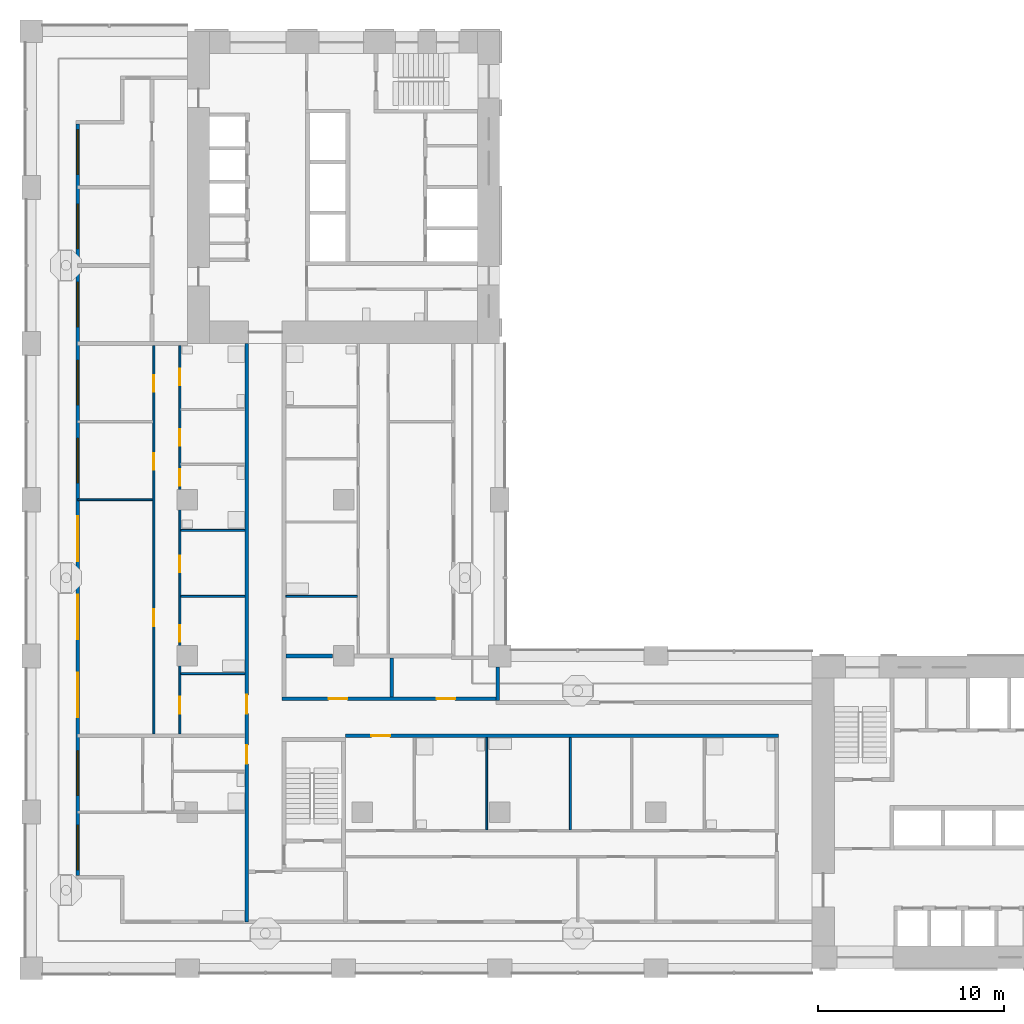
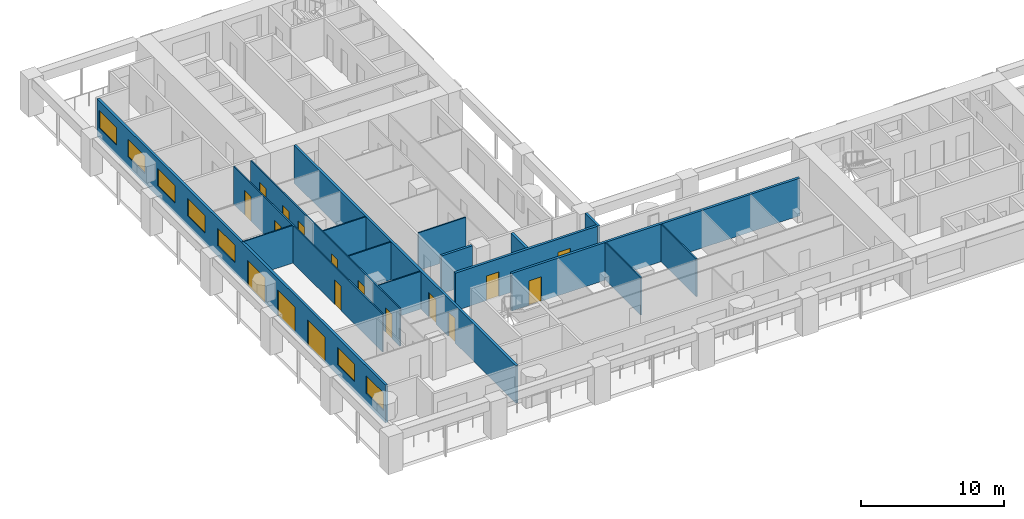
# One storey, part 3 of 18: 17 doors, 16 walls, 7 windows, 24 openings.
"""IFC4 building model written with IfcOpenShell, lengths in metres."""

from ifc_helpers import new_model, si_unit, direction, frame, frame_2d, origin, place, context, subcontext, project, spatial, rectangle, extrude, material, layer, layer_set, type_object, element, fill, save


model = new_model("IFC4")

# Units and contexts
model_context = context("Model", 3, precision=1e-05, world=origin(), true_north=direction((0.0, 1.0)))
body_context = subcontext(model_context, "Body", "Model", "MODEL_VIEW")
ifc_project = project(units=[si_unit("LENGTHUNIT", "METRE"), si_unit("AREAUNIT", "SQUARE_METRE"), si_unit("VOLUMEUNIT", "CUBIC_METRE"), si_unit("PLANEANGLEUNIT", "RADIAN"), si_unit("MASSUNIT", "GRAM", prefix="KILO")], contexts=[model_context])

# Site, building, storey
site_placement = place(None, origin())
site = spatial("IfcSite", under=ifc_project, at=site_placement, CompositionType="ELEMENT")
building_placement = place(site_placement, origin())
building = spatial("IfcBuilding", under=site, at=building_placement, Name="Vermilion Gate Residences", CompositionType="ELEMENT")
storey_placement = place(building_placement, frame((0.0, 0.0, 133.699951171875)))
storey = spatial("IfcBuildingStorey", under=building, at=storey_placement, Name="L34", CompositionType="ELEMENT", Elevation=133.699951171875)

# Wall, openings, doors, windows
ifc_material_1 = material(Name="Insulated steel stud wall with terracotta rainscreen", Category="masonry")
ifc_layer_1 = layer(ifc_material_1, 0.199951171875)
ifc_layer_set_1 = layer_set([ifc_layer_1], Name="EXTERNAL WALL 200 TERRACOTTA RAINSCREEN")
wall_type_1 = type_object("IfcWallType", Name="EXTERNAL WALL 200 TERRACOTTA RAINSCREEN", PredefinedType="SOLIDWALL", material=ifc_layer_set_1)
wall_1_placement = place(storey_placement, frame((2.5, 53.800048828125, 0.0), z_axis=(0.0, 0.0, 1.0), x_axis=(0.0, -1.0, 0.0)))
wall_1 = element("IfcWall", 1, at=wall_1_placement, inside=storey, type_object=wall_type_1, Name="External wall", PredefinedType="SOLIDWALL", context=body_context, shape_type="SweptSolid", body=[
    extrude(rectangle(XDim=40.400146484375, YDim=0.199951171875, at=frame_2d((20.2001953125, 0.0))), origin(), (0.0, 0.0, 1.0), 3.219970703125),
])
opening_1_placement = place(wall_1_placement, frame((37.699951171875, 0.0, 0.89990234375)))
opening_1 = element("IfcOpeningElement", 2, at=opening_1_placement, cuts=wall_1, Name="Opening WE34002", PredefinedType="OPENING", context=body_context, shape_type="SweptSolid", body=[
    extrude(rectangle(XDim=2.39990234375, YDim=1.5, at=frame_2d((1.199951171875, 0.75))), frame((0.0, 0.10986328125, 0.0), z_axis=(0.0, -1.0, 0.0), x_axis=(1.0, 0.0, 0.0)), (0.0, 0.0, 1.0), 0.219970703125),
])
opening_2_placement = place(wall_1_placement, frame((33.699951171875, 0.0, 0.89990234375)))
opening_2 = element("IfcOpeningElement", 3, at=opening_2_placement, cuts=wall_1, Name="Opening WE34003", PredefinedType="OPENING", context=body_context, shape_type="SweptSolid", body=[
    extrude(rectangle(XDim=2.39990234375, YDim=1.5, at=frame_2d((1.199951171875, 0.75))), frame((0.0, 0.10986328125, 0.0), z_axis=(0.0, -1.0, 0.0), x_axis=(1.0, 0.0, 0.0)), (0.0, 0.0, 1.0), 0.219970703125),
])
opening_3_placement = place(wall_1_placement, frame((29.5, 0.0, 0.0)))
opening_3 = element("IfcOpeningElement", 4, at=opening_3_placement, cuts=wall_1, Name="Opening DE34004", PredefinedType="OPENING", context=body_context, shape_type="SweptSolid", body=[
    extrude(rectangle(XDim=2.39990234375, YDim=2.199951171875, at=frame_2d((1.199951171875, 1.10009765625))), frame((0.0, 0.10986328125, 0.0), z_axis=(0.0, -1.0, 0.0), x_axis=(1.0, 0.0, 0.0)), (0.0, 0.0, 1.0), 0.219970703125),
])
opening_4_placement = place(wall_1_placement, frame((25.300048828125, 0.0, 0.0)))
opening_4 = element("IfcOpeningElement", 5, at=opening_4_placement, cuts=wall_1, Name="Opening DE34005", PredefinedType="OPENING", context=body_context, shape_type="SweptSolid", body=[
    extrude(rectangle(XDim=2.39990234375, YDim=2.199951171875, at=frame_2d((1.199951171875, 1.10009765625))), frame((0.0, 0.10986328125, 0.0), z_axis=(0.0, -1.0, 0.0), x_axis=(1.0, 0.0, 0.0)), (0.0, 0.0, 1.0), 0.219970703125),
])
opening_5_placement = place(wall_1_placement, frame((21.10009765625, 0.0, 0.0)))
opening_5 = element("IfcOpeningElement", 6, at=opening_5_placement, cuts=wall_1, Name="Opening DE34006", PredefinedType="OPENING", context=body_context, shape_type="SweptSolid", body=[
    extrude(rectangle(XDim=2.39990234375, YDim=2.199951171875, at=frame_2d((1.199951171875, 1.10009765625))), frame((0.0, 0.10986328125, 0.0), z_axis=(0.0, -1.0, 0.0), x_axis=(1.0, 0.0, 0.0)), (0.0, 0.0, 1.0), 0.219970703125),
])
opening_6_placement = place(wall_1_placement, frame((16.89990234375, 0.0, 0.89990234375)))
opening_6 = element("IfcOpeningElement", 7, at=opening_6_placement, cuts=wall_1, Name="Opening WE34007", PredefinedType="OPENING", context=body_context, shape_type="SweptSolid", body=[
    extrude(rectangle(XDim=2.39990234375, YDim=1.5, at=frame_2d((1.199951171875, 0.75))), frame((0.0, 0.10986328125, 0.0), z_axis=(0.0, -1.0, 0.0), x_axis=(1.0, 0.0, 0.0)), (0.0, 0.0, 1.0), 0.219970703125),
])
opening_7_placement = place(wall_1_placement, frame((12.699951171875, 0.0, 0.89990234375)))
opening_7 = element("IfcOpeningElement", 8, at=opening_7_placement, cuts=wall_1, Name="Opening WE34008", PredefinedType="OPENING", context=body_context, shape_type="SweptSolid", body=[
    extrude(rectangle(XDim=2.39990234375, YDim=1.5, at=frame_2d((1.199951171875, 0.75))), frame((0.0, 0.10986328125, 0.0), z_axis=(0.0, -1.0, 0.0), x_axis=(1.0, 0.0, 0.0)), (0.0, 0.0, 1.0), 0.219970703125),
])
opening_8_placement = place(wall_1_placement, frame((8.5, 0.0, 0.89990234375)))
opening_8 = element("IfcOpeningElement", 9, at=opening_8_placement, cuts=wall_1, Name="Opening WE34009", PredefinedType="OPENING", context=body_context, shape_type="SweptSolid", body=[
    extrude(rectangle(XDim=2.39990234375, YDim=1.5, at=frame_2d((1.199951171875, 0.75))), frame((0.0, 0.10986328125, 0.0), z_axis=(0.0, -1.0, 0.0), x_axis=(1.0, 0.0, 0.0)), (0.0, 0.0, 1.0), 0.219970703125),
])
opening_9_placement = place(wall_1_placement, frame((4.300048828125, 0.0, 0.89990234375)))
opening_9 = element("IfcOpeningElement", 10, at=opening_9_placement, cuts=wall_1, Name="Opening WE34010", PredefinedType="OPENING", context=body_context, shape_type="SweptSolid", body=[
    extrude(rectangle(XDim=2.39990234375, YDim=1.5, at=frame_2d((1.199951171875, 0.75))), frame((0.0, 0.10986328125, 0.0), z_axis=(0.0, -1.0, 0.0), x_axis=(1.0, 0.0, 0.0)), (0.0, 0.0, 1.0), 0.219970703125),
])
opening_10_placement = place(wall_1_placement, frame((0.300048828125, 0.0, 0.89990234375)))
opening_10 = element("IfcOpeningElement", 11, at=opening_10_placement, cuts=wall_1, Name="Opening WE34011", PredefinedType="OPENING", context=body_context, shape_type="SweptSolid", body=[
    extrude(rectangle(XDim=2.39990234375, YDim=1.5, at=frame_2d((1.199951171875, 0.75))), frame((0.0, 0.10986328125, 0.0), z_axis=(0.0, -1.0, 0.0), x_axis=(1.0, 0.0, 0.0)), (0.0, 0.0, 1.0), 0.219970703125),
])
ifc_material_2 = material(Name="Aluminium and clear glass", Category="aluminium")
door_type_1 = type_object("IfcDoorType", Name="SLIDING GLAZED DOOR 2400 X 2200", OperationType="DOUBLE_DOOR_SLIDING", PredefinedType="DOOR", material=ifc_material_2)
door_1_placement = place(opening_3_placement, origin())
door_1 = element("IfcDoor", 12, at=door_1_placement, inside=storey, type_object=door_type_1, Name="Loggia sliding door", OperationType="DOUBLE_DOOR_SLIDING", OverallHeight=2.199951171875, OverallWidth=2.39990234375, PredefinedType="DOOR", context=body_context, shape_type="SweptSolid", body=[
    extrude(rectangle(XDim=2.39990234375, YDim=2.199951171875, at=frame_2d((1.199951171875, 1.10009765625))), frame((0.0, 0.02490234375, 0.0), z_axis=(0.0, -1.0, 0.0), x_axis=(1.0, 0.0, 0.0)), (0.0, 0.0, 1.0), 0.050048828125),
])
fill(opening_3, door_1)
door_2_placement = place(opening_4_placement, origin())
door_2 = element("IfcDoor", 13, at=door_2_placement, inside=storey, type_object=door_type_1, Name="Loggia sliding door", OperationType="DOUBLE_DOOR_SLIDING", OverallHeight=2.199951171875, OverallWidth=2.39990234375, PredefinedType="DOOR", context=body_context, shape_type="SweptSolid", body=[
    extrude(rectangle(XDim=2.39990234375, YDim=2.199951171875, at=frame_2d((1.199951171875, 1.10009765625))), frame((0.0, 0.02490234375, 0.0), z_axis=(0.0, -1.0, 0.0), x_axis=(1.0, 0.0, 0.0)), (0.0, 0.0, 1.0), 0.050048828125),
])
fill(opening_4, door_2)
door_3_placement = place(opening_5_placement, origin())
door_3 = element("IfcDoor", 14, at=door_3_placement, inside=storey, type_object=door_type_1, Name="Loggia sliding door", OperationType="DOUBLE_DOOR_SLIDING", OverallHeight=2.199951171875, OverallWidth=2.39990234375, PredefinedType="DOOR", context=body_context, shape_type="SweptSolid", body=[
    extrude(rectangle(XDim=2.39990234375, YDim=2.199951171875, at=frame_2d((1.199951171875, 1.10009765625))), frame((0.0, 0.02490234375, 0.0), z_axis=(0.0, -1.0, 0.0), x_axis=(1.0, 0.0, 0.0)), (0.0, 0.0, 1.0), 0.050048828125),
])
fill(opening_5, door_3)
ifc_material_3 = material(Name="Aluminium and clear glass", Category="aluminium")
window_type = type_object("IfcWindowType", Name="WINDOW 2400 X 1500", PartitioningType="SINGLE_PANEL", PredefinedType="WINDOW", material=ifc_material_3)
window_1_placement = place(opening_1_placement, origin())
window_1 = element("IfcWindow", 15, at=window_1_placement, inside=storey, type_object=window_type, Name="Window", OverallHeight=1.5, OverallWidth=2.39990234375, PartitioningType="SINGLE_PANEL", PredefinedType="WINDOW", context=body_context, shape_type="SweptSolid", body=[
    extrude(rectangle(XDim=2.39990234375, YDim=1.5, at=frame_2d((1.199951171875, 0.75))), frame((0.0, 0.030029296875, 0.0), z_axis=(0.0, -1.0, 0.0), x_axis=(1.0, 0.0, 0.0)), (0.0, 0.0, 1.0), 0.06005859375),
])
fill(opening_1, window_1)
window_2_placement = place(opening_2_placement, origin())
window_2 = element("IfcWindow", 16, at=window_2_placement, inside=storey, type_object=window_type, Name="Window", OverallHeight=1.5, OverallWidth=2.39990234375, PartitioningType="SINGLE_PANEL", PredefinedType="WINDOW", context=body_context, shape_type="SweptSolid", body=[
    extrude(rectangle(XDim=2.39990234375, YDim=1.5, at=frame_2d((1.199951171875, 0.75))), frame((0.0, 0.030029296875, 0.0), z_axis=(0.0, -1.0, 0.0), x_axis=(1.0, 0.0, 0.0)), (0.0, 0.0, 1.0), 0.06005859375),
])
fill(opening_2, window_2)
window_3_placement = place(opening_6_placement, origin())
window_3 = element("IfcWindow", 17, at=window_3_placement, inside=storey, type_object=window_type, Name="Window", OverallHeight=1.5, OverallWidth=2.39990234375, PartitioningType="SINGLE_PANEL", PredefinedType="WINDOW", context=body_context, shape_type="SweptSolid", body=[
    extrude(rectangle(XDim=2.39990234375, YDim=1.5, at=frame_2d((1.199951171875, 0.75))), frame((0.0, 0.030029296875, 0.0), z_axis=(0.0, -1.0, 0.0), x_axis=(1.0, 0.0, 0.0)), (0.0, 0.0, 1.0), 0.06005859375),
])
fill(opening_6, window_3)
window_4_placement = place(opening_7_placement, origin())
window_4 = element("IfcWindow", 18, at=window_4_placement, inside=storey, type_object=window_type, Name="Window", OverallHeight=1.5, OverallWidth=2.39990234375, PartitioningType="SINGLE_PANEL", PredefinedType="WINDOW", context=body_context, shape_type="SweptSolid", body=[
    extrude(rectangle(XDim=2.39990234375, YDim=1.5, at=frame_2d((1.199951171875, 0.75))), frame((0.0, 0.030029296875, 0.0), z_axis=(0.0, -1.0, 0.0), x_axis=(1.0, 0.0, 0.0)), (0.0, 0.0, 1.0), 0.06005859375),
])
fill(opening_7, window_4)
window_5_placement = place(opening_8_placement, origin())
window_5 = element("IfcWindow", 19, at=window_5_placement, inside=storey, type_object=window_type, Name="Window", OverallHeight=1.5, OverallWidth=2.39990234375, PartitioningType="SINGLE_PANEL", PredefinedType="WINDOW", context=body_context, shape_type="SweptSolid", body=[
    extrude(rectangle(XDim=2.39990234375, YDim=1.5, at=frame_2d((1.199951171875, 0.75))), frame((0.0, 0.030029296875, 0.0), z_axis=(0.0, -1.0, 0.0), x_axis=(1.0, 0.0, 0.0)), (0.0, 0.0, 1.0), 0.06005859375),
])
fill(opening_8, window_5)
window_6_placement = place(opening_9_placement, origin())
window_6 = element("IfcWindow", 20, at=window_6_placement, inside=storey, type_object=window_type, Name="Window", OverallHeight=1.5, OverallWidth=2.39990234375, PartitioningType="SINGLE_PANEL", PredefinedType="WINDOW", context=body_context, shape_type="SweptSolid", body=[
    extrude(rectangle(XDim=2.39990234375, YDim=1.5, at=frame_2d((1.199951171875, 0.75))), frame((0.0, 0.030029296875, 0.0), z_axis=(0.0, -1.0, 0.0), x_axis=(1.0, 0.0, 0.0)), (0.0, 0.0, 1.0), 0.06005859375),
])
fill(opening_9, window_6)
window_7_placement = place(opening_10_placement, origin())
window_7 = element("IfcWindow", 21, at=window_7_placement, inside=storey, type_object=window_type, Name="Window", OverallHeight=1.5, OverallWidth=2.39990234375, PartitioningType="SINGLE_PANEL", PredefinedType="WINDOW", context=body_context, shape_type="SweptSolid", body=[
    extrude(rectangle(XDim=2.39990234375, YDim=1.5, at=frame_2d((1.199951171875, 0.75))), frame((0.0, 0.030029296875, 0.0), z_axis=(0.0, -1.0, 0.0), x_axis=(1.0, 0.0, 0.0)), (0.0, 0.0, 1.0), 0.06005859375),
])
fill(opening_10, window_7)

# Walls
wall_2_placement = place(storey_placement, frame((25.10009765625, 22.800048828125, 0.0), z_axis=(0.0, 0.0, 1.0), x_axis=(0.0, 1.0, 0.0)))
element("IfcWall", 22, at=wall_2_placement, inside=storey, type_object=wall_type_1, Name="External wall", PredefinedType="SOLIDWALL", context=body_context, shape_type="SweptSolid", body=[
    extrude(rectangle(XDim=1.800048828125, YDim=0.199951171875, at=frame_2d((0.89990234375, 0.0))), origin(), (0.0, 0.0, 1.0), 3.219970703125),
])
ifc_material_4 = material(Name="Plasterboard on steel studs", Category="steel")
ifc_layer_2 = layer(ifc_material_4, 0.10009765625)
ifc_layer_set_2 = layer_set([ifc_layer_2], Name="PARTITION 100")
wall_type_2 = type_object("IfcWallType", Name="PARTITION 100", PredefinedType="PARTITIONING", material=ifc_layer_set_2)
for number, where, z_axis, x_axis, name in (
    (23, (8.050048828125, 24.25, 0.0), (0.0, 0.0, 1.0), (1.0, 0.0, 0.0), "Partition"),
    (24, (8.050048828125, 28.39990234375, 0.0), (0.0, 0.0, 1.0), (1.0, 0.0, 0.0), "Partition"),
):
    element("IfcWall", number, at=place(storey_placement, frame(where, z_axis=z_axis, x_axis=x_axis)), inside=storey, type_object=wall_type_2, Name=name, PredefinedType="PARTITIONING", context=body_context, shape_type="SweptSolid", body=[
        extrude(rectangle(XDim=3.449951171875, YDim=0.10009765625, at=frame_2d((1.72509765625, 0.0))), origin(), (0.0, 0.0, 1.0), 3.219970703125),
    ])
wall_3_placement = place(storey_placement, frame((13.699951171875, 28.39990234375, 0.0), z_axis=(0.0, 0.0, 1.0), x_axis=(1.0, 0.0, 0.0)))
element("IfcWall", 25, at=wall_3_placement, inside=storey, type_object=wall_type_2, Name="Partition", PredefinedType="PARTITIONING", context=body_context, shape_type="SweptSolid", body=[
    extrude(rectangle(XDim=3.85009765625, YDim=0.10009765625, at=frame_2d((1.925048828125, 0.0))), origin(), (0.0, 0.0, 1.0), 3.219970703125),
])
wall_4_placement = place(storey_placement, frame((8.050048828125, 31.949951171875, 0.0), z_axis=(0.0, 0.0, 1.0), x_axis=(1.0, 0.0, 0.0)))
element("IfcWall", 26, at=wall_4_placement, inside=storey, type_object=wall_type_2, Name="Partition", PredefinedType="PARTITIONING", context=body_context, shape_type="SweptSolid", body=[
    extrude(rectangle(XDim=3.449951171875, YDim=0.10009765625, at=frame_2d((1.72509765625, 0.0))), origin(), (0.0, 0.0, 1.0), 3.219970703125),
])
wall_5_placement = place(storey_placement, frame((2.5, 33.60009765625, 0.0), z_axis=(0.0, 0.0, 1.0), x_axis=(1.0, 0.0, 0.0)))
element("IfcWall", 27, at=wall_5_placement, inside=storey, type_object=wall_type_2, Name="Partition", PredefinedType="PARTITIONING", context=body_context, shape_type="SweptSolid", body=[
    extrude(rectangle(XDim=4.050048828125, YDim=0.10009765625, at=frame_2d((2.02490234375, 0.0))), origin(), (0.0, 0.0, 1.0), 3.219970703125),
])

# Wall, openings, doors
wall_6_placement = place(storey_placement, frame((6.60009765625, 21.0, 0.0), z_axis=(0.0, 0.0, 1.0), x_axis=(0.0, 1.0, 0.0)))
wall_6 = element("IfcWall", 28, at=wall_6_placement, inside=storey, type_object=wall_type_2, Name="Partition", PredefinedType="PARTITIONING", context=body_context, shape_type="SweptSolid", body=[
    extrude(rectangle(XDim=20.89990234375, YDim=0.10009765625, at=frame_2d((10.449951171875, 0.0))), origin(), (0.0, 0.0, 1.0), 3.219970703125),
])
opening_11_placement = place(wall_6_placement, frame((5.800048828125, 0.0, 0.0)))
opening_11 = element("IfcOpeningElement", 29, at=opening_11_placement, cuts=wall_6, Name="Opening DA34019", PredefinedType="OPENING", context=body_context, shape_type="SweptSolid", body=[
    extrude(rectangle(XDim=0.89990234375, YDim=2.10009765625, at=frame_2d((0.449951171875, 1.050048828125))), frame((0.0, 0.06005859375, 0.0), z_axis=(0.0, -1.0, 0.0), x_axis=(1.0, 0.0, 0.0)), (0.0, 0.0, 1.0), 0.1201171875),
])
opening_12_placement = place(wall_6_placement, frame((14.199951171875, 0.0, 0.0)))
opening_12 = element("IfcOpeningElement", 30, at=opening_12_placement, cuts=wall_6, Name="Opening DA34020", PredefinedType="OPENING", context=body_context, shape_type="SweptSolid", body=[
    extrude(rectangle(XDim=0.89990234375, YDim=2.10009765625, at=frame_2d((0.449951171875, 1.050048828125))), frame((0.0, 0.06005859375, 0.0), z_axis=(0.0, -1.0, 0.0), x_axis=(1.0, 0.0, 0.0)), (0.0, 0.0, 1.0), 0.1201171875),
])
opening_13_placement = place(wall_6_placement, frame((18.39990234375, 0.0, 0.0)))
opening_13 = element("IfcOpeningElement", 31, at=opening_13_placement, cuts=wall_6, Name="Opening DA34021", PredefinedType="OPENING", context=body_context, shape_type="SweptSolid", body=[
    extrude(rectangle(XDim=0.89990234375, YDim=2.10009765625, at=frame_2d((0.449951171875, 1.050048828125))), frame((0.0, 0.06005859375, 0.0), z_axis=(0.0, -1.0, 0.0), x_axis=(1.0, 0.0, 0.0)), (0.0, 0.0, 1.0), 0.1201171875),
])
ifc_material_5 = material(Name="Timber", Category="wood")
door_type_2 = type_object("IfcDoorType", Name="INTERIOR DOOR 900 X 2100", OperationType="SINGLE_SWING_LEFT", PredefinedType="DOOR", material=ifc_material_5)
door_4_placement = place(opening_11_placement, origin())
door_4 = element("IfcDoor", 32, at=door_4_placement, inside=storey, type_object=door_type_2, Name="Interior door", OperationType="SINGLE_SWING_LEFT", OverallHeight=2.10009765625, OverallWidth=0.89990234375, PredefinedType="DOOR", context=body_context, shape_type="SweptSolid", body=[
    extrude(rectangle(XDim=0.89990234375, YDim=2.10009765625, at=frame_2d((0.449951171875, 1.050048828125))), frame((0.0, 0.02490234375, 0.0), z_axis=(0.0, -1.0, 0.0), x_axis=(1.0, 0.0, 0.0)), (0.0, 0.0, 1.0), 0.050048828125),
])
fill(opening_11, door_4)
door_5_placement = place(opening_12_placement, origin())
door_5 = element("IfcDoor", 33, at=door_5_placement, inside=storey, type_object=door_type_2, Name="Interior door", OperationType="SINGLE_SWING_LEFT", OverallHeight=2.10009765625, OverallWidth=0.89990234375, PredefinedType="DOOR", context=body_context, shape_type="SweptSolid", body=[
    extrude(rectangle(XDim=0.89990234375, YDim=2.10009765625, at=frame_2d((0.449951171875, 1.050048828125))), frame((0.0, 0.02490234375, 0.0), z_axis=(0.0, -1.0, 0.0), x_axis=(1.0, 0.0, 0.0)), (0.0, 0.0, 1.0), 0.050048828125),
])
fill(opening_12, door_5)
door_6_placement = place(opening_13_placement, origin())
door_6 = element("IfcDoor", 34, at=door_6_placement, inside=storey, type_object=door_type_2, Name="Interior door", OperationType="SINGLE_SWING_LEFT", OverallHeight=2.10009765625, OverallWidth=0.89990234375, PredefinedType="DOOR", context=body_context, shape_type="SweptSolid", body=[
    extrude(rectangle(XDim=0.89990234375, YDim=2.10009765625, at=frame_2d((0.449951171875, 1.050048828125))), frame((0.0, 0.02490234375, 0.0), z_axis=(0.0, -1.0, 0.0), x_axis=(1.0, 0.0, 0.0)), (0.0, 0.0, 1.0), 0.050048828125),
])
fill(opening_13, door_6)

wall_7_placement = place(storey_placement, frame((8.0, 21.0, 0.0), z_axis=(0.0, 0.0, 1.0), x_axis=(0.0, 1.0, 0.0)))
wall_7 = element("IfcWall", 35, at=wall_7_placement, inside=storey, type_object=wall_type_2, Name="Partition", PredefinedType="PARTITIONING", context=body_context, shape_type="SweptSolid", body=[
    extrude(rectangle(XDim=20.89990234375, YDim=0.10009765625, at=frame_2d((10.449951171875, 0.0))), origin(), (0.0, 0.0, 1.0), 3.219970703125),
])
opening_14_placement = place(wall_7_placement, frame((1.10009765625, 0.0, 0.0)))
opening_14 = element("IfcOpeningElement", 36, at=opening_14_placement, cuts=wall_7, Name="Opening DA34024", PredefinedType="OPENING", context=body_context, shape_type="SweptSolid", body=[
    extrude(rectangle(XDim=0.89990234375, YDim=2.10009765625, at=frame_2d((0.449951171875, 1.050048828125))), frame((0.0, 0.06005859375, 0.0), z_axis=(0.0, -1.0, 0.0), x_axis=(1.0, 0.0, 0.0)), (0.0, 0.0, 1.0), 0.1201171875),
])
opening_15_placement = place(wall_7_placement, frame((4.949951171875, 0.0, 0.0)))
opening_15 = element("IfcOpeningElement", 37, at=opening_15_placement, cuts=wall_7, Name="Opening DA34025", PredefinedType="OPENING", context=body_context, shape_type="SweptSolid", body=[
    extrude(rectangle(XDim=0.89990234375, YDim=2.10009765625, at=frame_2d((0.449951171875, 1.050048828125))), frame((0.0, 0.06005859375, 0.0), z_axis=(0.0, -1.0, 0.0), x_axis=(1.0, 0.0, 0.0)), (0.0, 0.0, 1.0), 0.1201171875),
])
opening_16_placement = place(wall_7_placement, frame((8.699951171875, 0.0, 0.0)))
opening_16 = element("IfcOpeningElement", 38, at=opening_16_placement, cuts=wall_7, Name="Opening DA34026", PredefinedType="OPENING", context=body_context, shape_type="SweptSolid", body=[
    extrude(rectangle(XDim=0.89990234375, YDim=2.10009765625, at=frame_2d((0.449951171875, 1.050048828125))), frame((0.0, 0.06005859375, 0.0), z_axis=(0.0, -1.0, 0.0), x_axis=(1.0, 0.0, 0.0)), (0.0, 0.0, 1.0), 0.1201171875),
])
opening_17_placement = place(wall_7_placement, frame((13.35009765625, 0.0, 0.0)))
opening_17 = element("IfcOpeningElement", 39, at=opening_17_placement, cuts=wall_7, Name="Opening DA34027", PredefinedType="OPENING", context=body_context, shape_type="SweptSolid", body=[
    extrude(rectangle(XDim=0.89990234375, YDim=2.10009765625, at=frame_2d((0.449951171875, 1.050048828125))), frame((0.0, 0.06005859375, 0.0), z_axis=(0.0, -1.0, 0.0), x_axis=(1.0, 0.0, 0.0)), (0.0, 0.0, 1.0), 0.1201171875),
])
opening_18_placement = place(wall_7_placement, frame((15.5, 0.0, 0.0)))
opening_18 = element("IfcOpeningElement", 40, at=opening_18_placement, cuts=wall_7, Name="Opening DA34028", PredefinedType="OPENING", context=body_context, shape_type="SweptSolid", body=[
    extrude(rectangle(XDim=0.89990234375, YDim=2.10009765625, at=frame_2d((0.449951171875, 1.050048828125))), frame((0.0, 0.06005859375, 0.0), z_axis=(0.0, -1.0, 0.0), x_axis=(1.0, 0.0, 0.0)), (0.0, 0.0, 1.0), 0.1201171875),
])
opening_19_placement = place(wall_7_placement, frame((18.75, 0.0, 0.0)))
opening_19 = element("IfcOpeningElement", 41, at=opening_19_placement, cuts=wall_7, Name="Opening DA34029", PredefinedType="OPENING", context=body_context, shape_type="SweptSolid", body=[
    extrude(rectangle(XDim=0.89990234375, YDim=2.10009765625, at=frame_2d((0.449951171875, 1.050048828125))), frame((0.0, 0.06005859375, 0.0), z_axis=(0.0, -1.0, 0.0), x_axis=(1.0, 0.0, 0.0)), (0.0, 0.0, 1.0), 0.1201171875),
])
door_7_placement = place(opening_14_placement, frame((0.89990234375, 0.0, 0.0), z_axis=(0.0, 0.0, 1.0), x_axis=(-1.0, 0.0, 0.0)))
door_7 = element("IfcDoor", 42, at=door_7_placement, inside=storey, type_object=door_type_2, Name="Interior door", OperationType="SINGLE_SWING_RIGHT", OverallHeight=2.10009765625, OverallWidth=0.89990234375, PredefinedType="DOOR", context=body_context, shape_type="SweptSolid", body=[
    extrude(rectangle(XDim=0.89990234375, YDim=2.10009765625, at=frame_2d((0.449951171875, 1.050048828125))), frame((0.0, 0.02490234375, 0.0), z_axis=(0.0, -1.0, 0.0), x_axis=(1.0, 0.0, 0.0)), (0.0, 0.0, 1.0), 0.050048828125),
])
fill(opening_14, door_7)
door_8_placement = place(opening_15_placement, frame((0.89990234375, 0.0, 0.0), z_axis=(0.0, 0.0, 1.0), x_axis=(-1.0, 0.0, 0.0)))
door_8 = element("IfcDoor", 43, at=door_8_placement, inside=storey, type_object=door_type_2, Name="Interior door", OperationType="SINGLE_SWING_RIGHT", OverallHeight=2.10009765625, OverallWidth=0.89990234375, PredefinedType="DOOR", context=body_context, shape_type="SweptSolid", body=[
    extrude(rectangle(XDim=0.89990234375, YDim=2.10009765625, at=frame_2d((0.449951171875, 1.050048828125))), frame((0.0, 0.02490234375, 0.0), z_axis=(0.0, -1.0, 0.0), x_axis=(1.0, 0.0, 0.0)), (0.0, 0.0, 1.0), 0.050048828125),
])
fill(opening_15, door_8)
door_9_placement = place(opening_16_placement, frame((0.89990234375, 0.0, 0.0), z_axis=(0.0, 0.0, 1.0), x_axis=(-1.0, 0.0, 0.0)))
door_9 = element("IfcDoor", 44, at=door_9_placement, inside=storey, type_object=door_type_2, Name="Interior door", OperationType="SINGLE_SWING_RIGHT", OverallHeight=2.10009765625, OverallWidth=0.89990234375, PredefinedType="DOOR", context=body_context, shape_type="SweptSolid", body=[
    extrude(rectangle(XDim=0.89990234375, YDim=2.10009765625, at=frame_2d((0.449951171875, 1.050048828125))), frame((0.0, 0.02490234375, 0.0), z_axis=(0.0, -1.0, 0.0), x_axis=(1.0, 0.0, 0.0)), (0.0, 0.0, 1.0), 0.050048828125),
])
fill(opening_16, door_9)
door_10_placement = place(opening_17_placement, frame((0.89990234375, 0.0, 0.0), z_axis=(0.0, 0.0, 1.0), x_axis=(-1.0, 0.0, 0.0)))
door_10 = element("IfcDoor", 45, at=door_10_placement, inside=storey, type_object=door_type_2, Name="Interior door", OperationType="SINGLE_SWING_RIGHT", OverallHeight=2.10009765625, OverallWidth=0.89990234375, PredefinedType="DOOR", context=body_context, shape_type="SweptSolid", body=[
    extrude(rectangle(XDim=0.89990234375, YDim=2.10009765625, at=frame_2d((0.449951171875, 1.050048828125))), frame((0.0, 0.02490234375, 0.0), z_axis=(0.0, -1.0, 0.0), x_axis=(1.0, 0.0, 0.0)), (0.0, 0.0, 1.0), 0.050048828125),
])
fill(opening_17, door_10)
door_11_placement = place(opening_18_placement, frame((0.89990234375, 0.0, 0.0), z_axis=(0.0, 0.0, 1.0), x_axis=(-1.0, 0.0, 0.0)))
door_11 = element("IfcDoor", 46, at=door_11_placement, inside=storey, type_object=door_type_2, Name="Interior door", OperationType="SINGLE_SWING_RIGHT", OverallHeight=2.10009765625, OverallWidth=0.89990234375, PredefinedType="DOOR", context=body_context, shape_type="SweptSolid", body=[
    extrude(rectangle(XDim=0.89990234375, YDim=2.10009765625, at=frame_2d((0.449951171875, 1.050048828125))), frame((0.0, 0.02490234375, 0.0), z_axis=(0.0, -1.0, 0.0), x_axis=(1.0, 0.0, 0.0)), (0.0, 0.0, 1.0), 0.050048828125),
])
fill(opening_18, door_11)
door_12_placement = place(opening_19_placement, frame((0.89990234375, 0.0, 0.0), z_axis=(0.0, 0.0, 1.0), x_axis=(-1.0, 0.0, 0.0)))
door_12 = element("IfcDoor", 47, at=door_12_placement, inside=storey, type_object=door_type_2, Name="Interior door", OperationType="SINGLE_SWING_LEFT", OverallHeight=2.10009765625, OverallWidth=0.89990234375, PredefinedType="DOOR", context=body_context, shape_type="SweptSolid", body=[
    extrude(rectangle(XDim=0.89990234375, YDim=2.10009765625, at=frame_2d((0.449951171875, 1.050048828125))), frame((0.0, 0.02490234375, 0.0), z_axis=(0.0, -1.0, 0.0), x_axis=(1.0, 0.0, 0.0)), (0.0, 0.0, 1.0), 0.050048828125),
])
fill(opening_19, door_12)

# Walls
for number, where, z_axis, x_axis, name in (
    (48, (24.5, 15.85009765625, 0.0), (0.0, 0.0, 1.0), (0.0, 1.0, 0.0), "Partition"),
    (49, (29.0, 15.85009765625, 0.0), (0.0, 0.0, 1.0), (0.0, 1.0, 0.0), "Partition"),
):
    element("IfcWall", number, at=place(storey_placement, frame(where, z_axis=z_axis, x_axis=x_axis)), inside=storey, type_object=wall_type_2, Name=name, PredefinedType="PARTITIONING", context=body_context, shape_type="SweptSolid", body=[
        extrude(rectangle(XDim=4.949951171875, YDim=0.10009765625, at=frame_2d((2.47509765625, 0.0))), origin(), (0.0, 0.0, 1.0), 3.219970703125),
    ])

# Wall, opening, door
ifc_material_6 = material(Name="Fire-rated plasterboard on steel studs", Category="steel")
ifc_layer_3 = layer(ifc_material_6, 0.199951171875)
ifc_layer_set_3 = layer_set([ifc_layer_3], Name="PARTY WALL 200 EI 120")
wall_type_3 = type_object("IfcWallType", Name="PARTY WALL 200 EI 120", PredefinedType="PARTITIONING", material=ifc_layer_set_3)
wall_8_placement = place(storey_placement, frame((16.89990234375, 20.89990234375, 0.0), z_axis=(0.0, 0.0, 1.0), x_axis=(1.0, 0.0, 0.0)))
wall_8 = element("IfcWall", 50, at=wall_8_placement, inside=storey, type_object=wall_type_3, Name="Party and corridor wall", PredefinedType="PARTITIONING", context=body_context, shape_type="SweptSolid", body=[
    extrude(rectangle(XDim=23.300048828125, YDim=0.199951171875, at=frame_2d((11.64990234375, 0.0))), origin(), (0.0, 0.0, 1.0), 3.219970703125),
])
opening_20_placement = place(wall_8_placement, frame((1.39990234375, 0.0, 0.0)))
opening_20 = element("IfcOpeningElement", 51, at=opening_20_placement, cuts=wall_8, Name="Opening DA34012", PredefinedType="OPENING", context=body_context, shape_type="SweptSolid", body=[
    extrude(rectangle(XDim=1.0, YDim=2.10009765625, at=frame_2d((0.5, 1.050048828125))), frame((0.0, 0.10986328125, 0.0), z_axis=(0.0, -1.0, 0.0), x_axis=(1.0, 0.0, 0.0)), (0.0, 0.0, 1.0), 0.219970703125),
])
ifc_material_7 = material(Name="Steel", Category="steel")
door_type_3 = type_object("IfcDoorType", Name="ENTRANCE DOOR 1000 X 2100 FD30", OperationType="SINGLE_SWING_LEFT", PredefinedType="DOOR", material=ifc_material_7)
door_13_placement = place(opening_20_placement, frame((1.0, 0.0, 0.0), z_axis=(0.0, 0.0, 1.0), x_axis=(-1.0, 0.0, 0.0)))
door_13 = element("IfcDoor", 52, at=door_13_placement, inside=storey, type_object=door_type_3, Name="Entrance door", OperationType="SINGLE_SWING_LEFT", OverallHeight=2.10009765625, OverallWidth=1.0, PredefinedType="DOOR", context=body_context, shape_type="SweptSolid", body=[
    extrude(rectangle(XDim=1.0, YDim=2.10009765625, at=frame_2d((0.5, 1.050048828125))), frame((0.0, 0.02490234375, 0.0), z_axis=(0.0, -1.0, 0.0), x_axis=(1.0, 0.0, 0.0)), (0.0, 0.0, 1.0), 0.050048828125),
])
fill(opening_20, door_13)

# Wall, openings, doors
wall_9_placement = place(storey_placement, frame((13.5, 22.89990234375, 0.0), z_axis=(0.0, 0.0, 1.0), x_axis=(1.0, 0.0, 0.0)))
wall_9 = element("IfcWall", 53, at=wall_9_placement, inside=storey, type_object=wall_type_3, Name="Party and corridor wall", PredefinedType="PARTITIONING", context=body_context, shape_type="SweptSolid", body=[
    extrude(rectangle(XDim=11.60009765625, YDim=0.199951171875, at=frame_2d((5.800048828125, 0.0))), origin(), (0.0, 0.0, 1.0), 3.219970703125),
])
opening_21_placement = place(wall_9_placement, frame((2.5, 0.0, 0.0)))
opening_21 = element("IfcOpeningElement", 54, at=opening_21_placement, cuts=wall_9, Name="Opening DA34013", PredefinedType="OPENING", context=body_context, shape_type="SweptSolid", body=[
    extrude(rectangle(XDim=1.0, YDim=2.10009765625, at=frame_2d((0.5, 1.050048828125))), frame((0.0, 0.10986328125, 0.0), z_axis=(0.0, -1.0, 0.0), x_axis=(1.0, 0.0, 0.0)), (0.0, 0.0, 1.0), 0.219970703125),
])
opening_22_placement = place(wall_9_placement, frame((8.300048828125, 0.0, 0.0)))
opening_22 = element("IfcOpeningElement", 55, at=opening_22_placement, cuts=wall_9, Name="Opening DA34014", PredefinedType="OPENING", context=body_context, shape_type="SweptSolid", body=[
    extrude(rectangle(XDim=1.0, YDim=2.10009765625, at=frame_2d((0.5, 1.050048828125))), frame((0.0, 0.10986328125, 0.0), z_axis=(0.0, -1.0, 0.0), x_axis=(1.0, 0.0, 0.0)), (0.0, 0.0, 1.0), 0.219970703125),
])
door_14_placement = place(opening_21_placement, origin())
door_14 = element("IfcDoor", 56, at=door_14_placement, inside=storey, type_object=door_type_3, Name="Entrance door", OperationType="SINGLE_SWING_RIGHT", OverallHeight=2.10009765625, OverallWidth=1.0, PredefinedType="DOOR", context=body_context, shape_type="SweptSolid", body=[
    extrude(rectangle(XDim=1.0, YDim=2.10009765625, at=frame_2d((0.5, 1.050048828125))), frame((0.0, 0.02490234375, 0.0), z_axis=(0.0, -1.0, 0.0), x_axis=(1.0, 0.0, 0.0)), (0.0, 0.0, 1.0), 0.050048828125),
])
fill(opening_21, door_14)
door_15_placement = place(opening_22_placement, origin())
door_15 = element("IfcDoor", 57, at=door_15_placement, inside=storey, type_object=door_type_3, Name="Entrance door", OperationType="SINGLE_SWING_RIGHT", OverallHeight=2.10009765625, OverallWidth=1.0, PredefinedType="DOOR", context=body_context, shape_type="SweptSolid", body=[
    extrude(rectangle(XDim=1.0, YDim=2.10009765625, at=frame_2d((0.5, 1.050048828125))), frame((0.0, 0.02490234375, 0.0), z_axis=(0.0, -1.0, 0.0), x_axis=(1.0, 0.0, 0.0)), (0.0, 0.0, 1.0), 0.050048828125),
])
fill(opening_22, door_15)

# Wall
wall_10_placement = place(storey_placement, frame((13.699951171875, 25.199951171875, 0.0), z_axis=(0.0, 0.0, 1.0), x_axis=(1.0, 0.0, 0.0)))
element("IfcWall", 58, at=wall_10_placement, inside=storey, type_object=wall_type_3, Name="Party and corridor wall", PredefinedType="PARTITIONING", context=body_context, shape_type="SweptSolid", body=[
    extrude(rectangle(XDim=2.5, YDim=0.199951171875, at=frame_2d((1.25, 0.0))), origin(), (0.0, 0.0, 1.0), 3.219970703125),
])

# Wall, openings, doors
wall_11_placement = place(storey_placement, frame((11.60009765625, 10.89990234375, 0.0), z_axis=(0.0, 0.0, 1.0), x_axis=(0.0, 1.0, 0.0)))
wall_11 = element("IfcWall", 59, at=wall_11_placement, inside=storey, type_object=wall_type_3, Name="Party and corridor wall", PredefinedType="PARTITIONING", context=body_context, shape_type="SweptSolid", body=[
    extrude(rectangle(XDim=31.10009765625, YDim=0.199951171875, at=frame_2d((15.550048828125, 0.0))), origin(), (0.0, 0.0, 1.0), 3.219970703125),
])
opening_23_placement = place(wall_11_placement, frame((8.5, 0.0, 0.0)))
opening_23 = element("IfcOpeningElement", 60, at=opening_23_placement, cuts=wall_11, Name="Opening DA34030", PredefinedType="OPENING", context=body_context, shape_type="SweptSolid", body=[
    extrude(rectangle(XDim=1.0, YDim=2.10009765625, at=frame_2d((0.5, 1.050048828125))), frame((0.0, 0.10986328125, 0.0), z_axis=(0.0, -1.0, 0.0), x_axis=(1.0, 0.0, 0.0)), (0.0, 0.0, 1.0), 0.219970703125),
])
opening_24_placement = place(wall_11_placement, frame((11.199951171875, 0.0, 0.0)))
opening_24 = element("IfcOpeningElement", 61, at=opening_24_placement, cuts=wall_11, Name="Opening DA34031", PredefinedType="OPENING", context=body_context, shape_type="SweptSolid", body=[
    extrude(rectangle(XDim=1.0, YDim=2.10009765625, at=frame_2d((0.5, 1.050048828125))), frame((0.0, 0.10986328125, 0.0), z_axis=(0.0, -1.0, 0.0), x_axis=(1.0, 0.0, 0.0)), (0.0, 0.0, 1.0), 0.219970703125),
])
door_16_placement = place(opening_23_placement, origin())
door_16 = element("IfcDoor", 62, at=door_16_placement, inside=storey, type_object=door_type_3, Name="Entrance door", OperationType="SINGLE_SWING_LEFT", OverallHeight=2.10009765625, OverallWidth=1.0, PredefinedType="DOOR", context=body_context, shape_type="SweptSolid", body=[
    extrude(rectangle(XDim=1.0, YDim=2.10009765625, at=frame_2d((0.5, 1.050048828125))), frame((0.0, 0.02490234375, 0.0), z_axis=(0.0, -1.0, 0.0), x_axis=(1.0, 0.0, 0.0)), (0.0, 0.0, 1.0), 0.050048828125),
])
fill(opening_23, door_16)
door_17_placement = place(opening_24_placement, origin())
door_17 = element("IfcDoor", 63, at=door_17_placement, inside=storey, type_object=door_type_3, Name="Entrance door", OperationType="SINGLE_SWING_RIGHT", OverallHeight=2.10009765625, OverallWidth=1.0, PredefinedType="DOOR", context=body_context, shape_type="SweptSolid", body=[
    extrude(rectangle(XDim=1.0, YDim=2.10009765625, at=frame_2d((0.5, 1.050048828125))), frame((0.0, 0.02490234375, 0.0), z_axis=(0.0, -1.0, 0.0), x_axis=(1.0, 0.0, 0.0)), (0.0, 0.0, 1.0), 0.050048828125),
])
fill(opening_24, door_17)

# Wall
wall_12_placement = place(storey_placement, frame((19.39990234375, 23.0, 0.0), z_axis=(0.0, 0.0, 1.0), x_axis=(0.0, 1.0, 0.0)))
element("IfcWall", 64, at=wall_12_placement, inside=storey, type_object=wall_type_3, Name="Party and corridor wall", PredefinedType="PARTITIONING", context=body_context, shape_type="SweptSolid", body=[
    extrude(rectangle(XDim=2.10009765625, YDim=0.199951171875, at=frame_2d((1.050048828125, 0.0))), origin(), (0.0, 0.0, 1.0), 3.219970703125),
])

save(model, "model.ifc")
